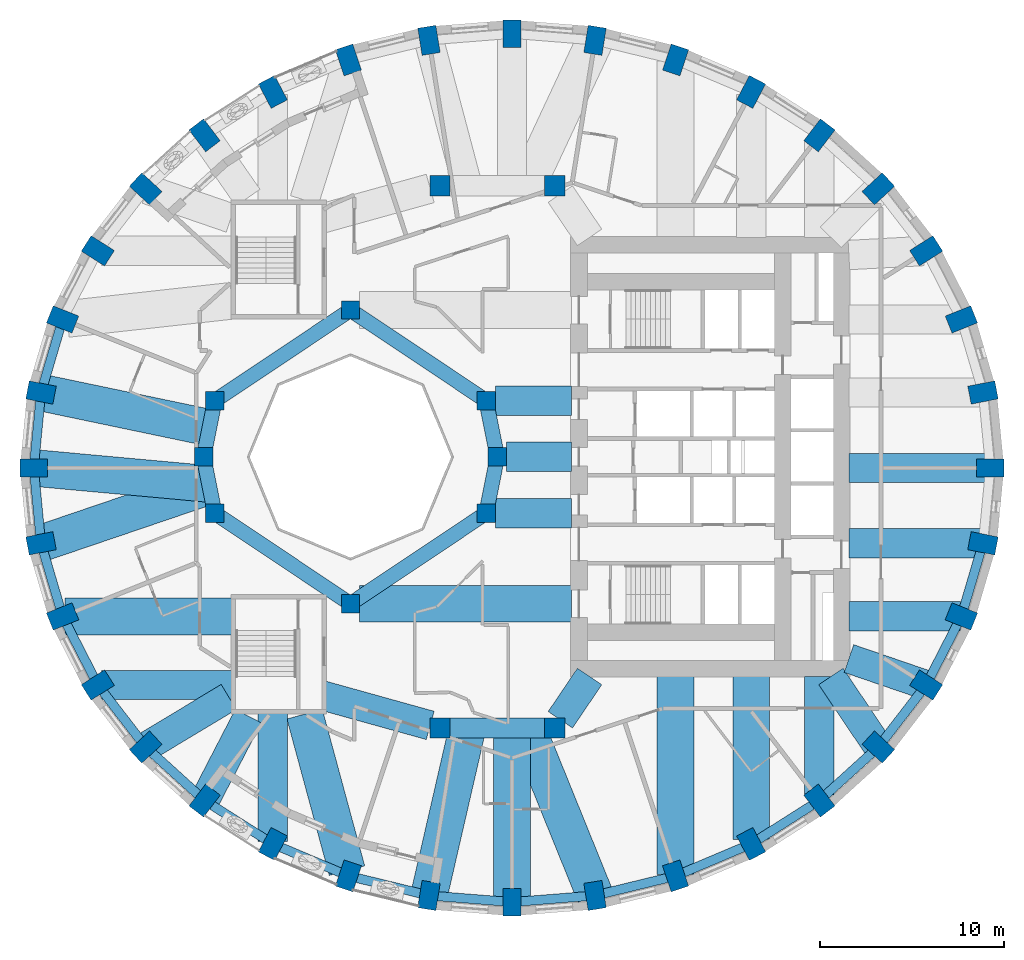
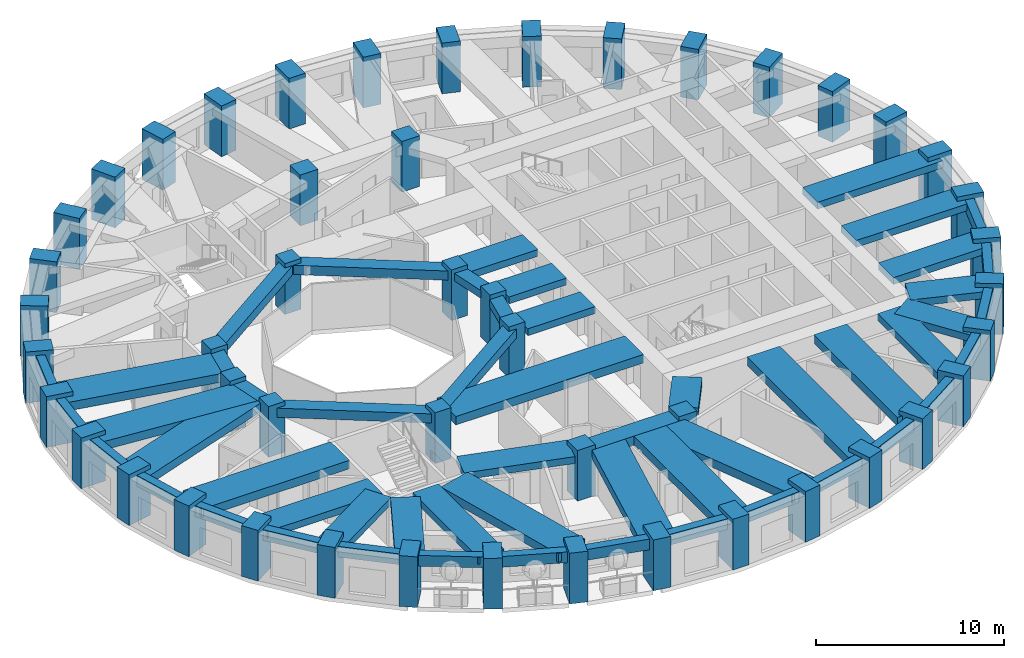
# One storey, part 1 of 12: 54 beams, 48 columns.
"""IFC4 building model written with IfcOpenShell, lengths in metres."""

from ifc_helpers import new_model, si_unit, direction, frame, origin, origin_2d, place, context, subcontext, project, spatial, rectangle, extrude, material, material_profile, profile_set, type_object, element, save


model = new_model("IFC4")

# Units and contexts
model_context = context("Model", 3, precision=1e-05, world=origin(), true_north=direction((0.0, 1.0)))
body_context = subcontext(model_context, "Body", "Model", "MODEL_VIEW")
ifc_project = project(units=[si_unit("LENGTHUNIT", "METRE"), si_unit("AREAUNIT", "SQUARE_METRE"), si_unit("VOLUMEUNIT", "CUBIC_METRE"), si_unit("PLANEANGLEUNIT", "RADIAN"), si_unit("MASSUNIT", "GRAM", prefix="KILO")], contexts=[model_context])

# Site, building, storey
site_placement = place(None, origin())
site = spatial("IfcSite", under=ifc_project, at=site_placement, CompositionType="ELEMENT")
building_placement = place(site_placement, origin())
building = spatial("IfcBuilding", under=site, at=building_placement, Name="Taillehof Tower", CompositionType="ELEMENT")
storey_placement = place(building_placement, frame((0.0, 0.0, 118.60009765625)))
storey = spatial("IfcBuildingStorey", under=building, at=storey_placement, Name="L33", CompositionType="ELEMENT", Elevation=118.60009765625)

# Columns
ifc_material_1 = material(Name="Concrete C50/60", Category="concrete")
ifc_material_profile_1 = material_profile(ifc_material_1, rectangle(XDim=1.0, YDim=1.0, at=origin_2d()), Name="RC 1000x1000")
ifc_profile_set_1 = profile_set([ifc_material_profile_1], Name="Concrete C50/60")
column_type_1 = type_object("IfcColumnType", Name="Atrium ring column C50/60 1000x1000", PredefinedType="COLUMN", material=ifc_profile_set_1)
for number, where, z_axis, x_axis, name in (
    (1, (0.0, 0.0, 0.0), (0.0, 0.0, 1.0), (1.0, 0.0, 0.0), "Column AC01"),
    (2, (-0.60888671875, 3.0615234375, 0.0), (0.0, 0.0, 1.0), (1.0, 0.0, 0.0), "Column AC02"),
    (3, (-8.0, 8.0, 0.0), (0.0, 0.0, 1.0), (1.0, 0.0, 0.0), "Column AC05"),
    (4, (-15.39111328125, 3.0615234375, 0.0), (0.0, 0.0, 1.0), (1.0, 0.0, 0.0), "Column AC08"),
    (5, (-16.0, 0.0, 0.0), (0.0, 0.0, 1.0), (1.0, 0.0, 0.0), "Column AC09"),
    (6, (-15.39111328125, -3.0615234375, 0.0), (0.0, 0.0, 1.0), (1.0, 0.0, 0.0), "Column AC10"),
    (7, (-8.0, -8.0, 0.0), (0.0, 0.0, 1.0), (1.0, 0.0, 0.0), "Column AC13"),
    (8, (-0.60888671875, -3.0615234375, 0.0), (0.0, 0.0, 1.0), (1.0, 0.0, 0.0), "Column AC16"),
):
    element("IfcColumn", number, at=place(storey_placement, frame(where, z_axis=z_axis, x_axis=x_axis)), inside=storey, type_object=column_type_1, Name=name, PredefinedType="COLUMN", context=body_context, shape_type="SweptSolid", body=[
        extrude(rectangle(XDim=1.0, YDim=1.0, at=origin_2d()), origin(), (0.0, 0.0, 1.0), 3.2998046875),
    ])
ifc_material_2 = material(Name="Concrete C50/60", Category="concrete")
ifc_material_profile_2 = material_profile(ifc_material_2, rectangle(XDim=1.10009765625, YDim=1.10009765625, at=origin_2d()), Name="RC 1100x1100")
ifc_profile_set_2 = profile_set([ifc_material_profile_2], Name="Concrete C50/60")
column_type_2 = type_object("IfcColumnType", Name="Mid-ring column C50/60 1100x1100", PredefinedType="COLUMN", material=ifc_profile_set_2)
for number, where, z_axis, x_axis, name in (
    (9, (3.125732421875, 14.772216796875, 0.0), (0.0, 0.0, 1.0), (1.0, 0.0, 0.0), "Column MC05"),
    (10, (-3.125732421875, 14.772216796875, 0.0), (0.0, 0.0, 1.0), (1.0, 0.0, 0.0), "Column MC06"),
    (11, (-3.125732421875, -14.772216796875, 0.0), (0.0, 0.0, 1.0), (1.0, 0.0, 0.0), "Column MC14"),
    (12, (3.125732421875, -14.772216796875, 0.0), (0.0, 0.0, 1.0), (1.0, 0.0, 0.0), "Column MC15"),
):
    element("IfcColumn", number, at=place(storey_placement, frame(where, z_axis=z_axis, x_axis=x_axis)), inside=storey, type_object=column_type_2, Name=name, PredefinedType="COLUMN", context=body_context, shape_type="SweptSolid", body=[
        extrude(rectangle(XDim=1.10009765625, YDim=1.10009765625, at=origin_2d()), origin(), (0.0, 0.0, 1.0), 3.2998046875),
    ])
ifc_material_3 = material(Name="Concrete C70/85", Category="concrete")
ifc_material_profile_3 = material_profile(ifc_material_3, rectangle(XDim=1.5, YDim=1.0, at=origin_2d()), Name="RC 1500x1000")
ifc_profile_set_3 = profile_set([ifc_material_profile_3], Name="Concrete C70/85")
column_type_3 = type_object("IfcColumnType", Name="Ring column C70/85 1500x1000", PredefinedType="COLUMN", material=ifc_profile_set_3)
for number, where, z_axis, x_axis, name in (
    (13, (26.85009765625, -0.60009765625, 0.0), (0.0, 0.0, 1.0), (1.0, 0.0, 0.0), "Ring column RC01"),
    (14, (26.454345703125, 3.5068359375, 0.0), (0.0, 0.0, 1.0), (0.981757466121, 0.190137523166, 0.0), "Ring column RC02"),
    (15, (25.279052734375, 7.48876953125, 0.0), (0.0, 0.0, 1.0), (0.928550110352, 0.371207075048, 0.0), "Ring column RC03"),
    (16, (23.35986328125, 11.22509765625, 0.0), (0.0, 0.0, 1.0), (0.844511454562, 0.535537489923, 0.0), "Ring column RC04"),
    (17, (20.75537109375, 14.60205078125, 0.0), (0.0, 0.0, 1.0), (0.735332034083, 0.677707016085, 0.0), "Ring column RC05"),
    (18, (17.544677734375, 17.516845703125, 0.0), (0.0, 0.0, 1.0), (0.607074228939, 0.794645128694, 0.0), "Ring column RC06"),
    (19, (13.824951171875, 19.881591796875, 0.0), (0.0, 0.0, 1.0), (0.465283017627, 0.885161970211, 0.0), "Ring column RC07"),
    (20, (9.709716796875, 21.623779296875, 0.0), (0.0, 0.0, 1.0), (0.314554972703, 0.949239258116, 0.0), "Ring column RC08"),
    (21, (5.323486328125, 22.690673828125, 0.0), (0.0, 0.0, 1.0), (0.158507038215, 0.987357847407, 0.0), "Ring column RC09"),
    (22, (0.800048828125, 23.050048828125, 0.0), (0.0, 0.0, 1.0), (0.0, 1.0, 0.0), "Ring column RC10"),
    (23, (-3.7236328125, 22.690673828125, 0.0), (0.0, 0.0, 1.0), (-0.158507038215, 0.987357847407, 0.0), "Ring column RC11"),
    (24, (-8.109619140625, 21.623779296875, 0.0), (0.0, 0.0, 1.0), (-0.314554972703, 0.949239258116, 0.0), "Ring column RC12"),
    (25, (-12.22509765625, 19.881591796875, 0.0), (0.0, 0.0, 1.0), (-0.465283017627, 0.885161970211, 0.0), "Ring column RC13"),
    (26, (-15.944580078125, 17.516845703125, 0.0), (0.0, 0.0, 1.0), (-0.607074228939, 0.794645128694, 0.0), "Ring column RC14"),
    (27, (-19.155517578125, 14.60205078125, 0.0), (0.0, 0.0, 1.0), (-0.735332034083, 0.677707016085, 0.0), "Ring column RC15"),
    (28, (-21.760009765625, 11.22509765625, 0.0), (0.0, 0.0, 1.0), (-0.844511454562, 0.535537489923, 0.0), "Ring column RC16"),
    (29, (-23.678955078125, 7.48876953125, 0.0), (0.0, 0.0, 1.0), (-0.928550110352, 0.371207075048, 0.0), "Ring column RC17"),
    (30, (-24.854248046875, 3.5068359375, 0.0), (0.0, 0.0, 1.0), (-0.981757466121, 0.190137523166, 0.0), "Ring column RC18"),
    (31, (-25.25, -0.60009765625, 0.0), (0.0, 0.0, 1.0), (-1.0, 0.0, 0.0), "Ring column RC19"),
    (32, (-24.854248046875, -4.706787109375, 0.0), (0.0, 0.0, 1.0), (-0.981757466121, -0.190137523166, 0.0), "Ring column RC20"),
    (33, (-23.678955078125, -8.688720703125, 0.0), (0.0, 0.0, 1.0), (-0.928550110352, -0.371207075048, 0.0), "Ring column RC21"),
    (34, (-21.760009765625, -12.425048828125, 0.0), (0.0, 0.0, 1.0), (-0.844511454562, -0.535537489923, 0.0), "Ring column RC22"),
    (35, (-19.155517578125, -15.802001953125, 0.0), (0.0, 0.0, 1.0), (-0.735332034083, -0.677707016085, 0.0), "Ring column RC23"),
    (36, (-15.944580078125, -18.717041015625, 0.0), (0.0, 0.0, 1.0), (-0.607074228939, -0.794645128694, 0.0), "Ring column RC24"),
    (37, (-12.22509765625, -21.08154296875, 0.0), (0.0, 0.0, 1.0), (-0.465283017627, -0.885161970211, 0.0), "Ring column RC25"),
    (38, (-8.109619140625, -22.82373046875, 0.0), (0.0, 0.0, 1.0), (-0.314554972703, -0.949239258116, 0.0), "Ring column RC26"),
    (39, (-3.7236328125, -23.890625, 0.0), (0.0, 0.0, 1.0), (-0.158507038215, -0.987357847407, 0.0), "Ring column RC27"),
    (40, (0.800048828125, -24.25, 0.0), (0.0, 0.0, 1.0), (0.0, -1.0, 0.0), "Ring column RC28"),
    (41, (5.323486328125, -23.890625, 0.0), (0.0, 0.0, 1.0), (0.158507038215, -0.987357847407, 0.0), "Ring column RC29"),
    (42, (9.709716796875, -22.82373046875, 0.0), (0.0, 0.0, 1.0), (0.314554972703, -0.949239258116, 0.0), "Ring column RC30"),
    (43, (13.824951171875, -21.08154296875, 0.0), (0.0, 0.0, 1.0), (0.465283017627, -0.885161970211, 0.0), "Ring column RC31"),
    (44, (17.544677734375, -18.717041015625, 0.0), (0.0, 0.0, 1.0), (0.607074228939, -0.794645128694, 0.0), "Ring column RC32"),
    (45, (20.75537109375, -15.802001953125, 0.0), (0.0, 0.0, 1.0), (0.735332034083, -0.677707016085, 0.0), "Ring column RC33"),
    (46, (23.35986328125, -12.425048828125, 0.0), (0.0, 0.0, 1.0), (0.844511454562, -0.535537489923, 0.0), "Ring column RC34"),
    (47, (25.279052734375, -8.688720703125, 0.0), (0.0, 0.0, 1.0), (0.928550110352, -0.371207075048, 0.0), "Ring column RC35"),
    (48, (26.454345703125, -4.706787109375, 0.0), (0.0, 0.0, 1.0), (0.981757466121, -0.190137523166, 0.0), "Ring column RC36"),
):
    element("IfcColumn", number, at=place(storey_placement, frame(where, z_axis=z_axis, x_axis=x_axis)), inside=storey, type_object=column_type_3, Name=name, PredefinedType="COLUMN", context=body_context, shape_type="SweptSolid", body=[
        extrude(rectangle(XDim=1.5, YDim=1.0, at=origin_2d()), origin(), (0.0, 0.0, 1.0), 3.2998046875),
    ])

# Beams
ifc_material_4 = material(Name="Concrete C50/60", Category="concrete")
ifc_material_profile_4 = material_profile(ifc_material_4, rectangle(XDim=0.800048828125, YDim=0.5, at=origin_2d()), Name="RC 800x500")
ifc_profile_set_4 = profile_set([ifc_material_profile_4], Name="Concrete C50/60")
beam_type_1 = type_object("IfcBeamType", Name="Atrium ring beam C50/60 800x500", PredefinedType="BEAM", material=ifc_profile_set_4)
for number, where, z_axis, x_axis, name in (
    (49, (0.0, 0.0, 2.77001953125), (-0.195063155143, 0.980790683839, 0.0), (-0.980790683839, -0.195063155143, 0.0), "Atrium ring beam AB01"),
    (50, (-15.39111328125, 3.0615234375, 2.77001953125), (-0.195063155143, -0.980790683839, 0.0), (0.980790683839, -0.195063155143, 0.0), "Atrium ring beam AB04"),
    (51, (-16.0, 0.0, 2.77001953125), (0.195063155143, -0.980790683839, 0.0), (0.980790683839, 0.195063155143, 0.0), "Atrium ring beam AB05"),
    (52, (-0.60888671875, -3.0615234375, 2.77001953125), (0.195063155143, 0.980790683839, 0.0), (-0.980790683839, 0.195063155143, 0.0), "Atrium ring beam AB08"),
):
    element("IfcBeam", number, at=place(storey_placement, frame(where, z_axis=z_axis, x_axis=x_axis)), inside=storey, type_object=beam_type_1, Name=name, PredefinedType="BEAM", context=body_context, shape_type="SweptSolid", body=[
        extrude(rectangle(XDim=0.800048828125, YDim=0.5, at=origin_2d()), origin(), (0.0, 0.0, 1.0), 3.12158203125),
    ])
ifc_material_5 = material(Name="Concrete C50/60", Category="concrete")
ifc_material_profile_5 = material_profile(ifc_material_5, rectangle(XDim=0.800048828125, YDim=0.60009765625, at=origin_2d()), Name="RC 800x600")
ifc_profile_set_5 = profile_set([ifc_material_profile_5], Name="Concrete C50/60")
beam_type_2 = type_object("IfcBeamType", Name="Atrium ring beam C50/60 800x600", PredefinedType="BEAM", material=ifc_profile_set_5)
for number, where, z_axis, x_axis, name in (
    (53, (-0.60888671875, 3.0615234375, 2.719970703125), (-0.831475195687, 0.555561876804, 0.0), (-0.555561876804, -0.831475195687, 0.0), "Atrium ring beam AB02"),
    (54, (-8.0, 8.0, 2.719970703125), (-0.831475195687, -0.555561876804, 0.0), (0.555561876804, -0.831475195687, 0.0), "Atrium ring beam AB03"),
    (55, (-15.39111328125, -3.0615234375, 2.719970703125), (0.831475195687, -0.555561876804, 0.0), (0.555561876804, 0.831475195687, 0.0), "Atrium ring beam AB06"),
    (56, (-8.0, -8.0, 2.719970703125), (0.831475195687, 0.555561876804, 0.0), (-0.555561876804, 0.831475195687, 0.0), "Atrium ring beam AB07"),
):
    element("IfcBeam", number, at=place(storey_placement, frame(where, z_axis=z_axis, x_axis=x_axis)), inside=storey, type_object=beam_type_2, Name=name, PredefinedType="BEAM", context=body_context, shape_type="SweptSolid", body=[
        extrude(rectangle(XDim=0.800048828125, YDim=0.60009765625, at=origin_2d()), origin(), (0.0, 0.0, 1.0), 8.88916015625),
    ])
ifc_material_6 = material(Name="Concrete C50/60", Category="concrete")
ifc_material_profile_6 = material_profile(ifc_material_6, rectangle(XDim=1.10009765625, YDim=0.60009765625, at=origin_2d()), Name="RC 1100x600")
ifc_profile_set_6 = profile_set([ifc_material_profile_6], Name="Concrete C50/60")
beam_type_3 = type_object("IfcBeamType", Name="Mid-ring beam C50/60 1100x600", PredefinedType="BEAM", material=ifc_profile_set_6)
beam_1_placement = place(storey_placement, frame((-3.125732421875, -14.772216796875, 2.719970703125), z_axis=(1.0, 0.0, 0.0), x_axis=(0.0, 1.0, 0.0)))
element("IfcBeam", 57, at=beam_1_placement, inside=storey, type_object=beam_type_3, Name="Mid-ring beam MB02", PredefinedType="BEAM", context=body_context, shape_type="SweptSolid", body=[
    extrude(rectangle(XDim=1.10009765625, YDim=0.60009765625, at=origin_2d()), origin(), (0.0, 0.0, 1.0), 6.25146484375),
])
ifc_material_7 = material(Name="Concrete C50/60", Category="concrete")
ifc_material_profile_7 = material_profile(ifc_material_7, rectangle(XDim=1.60009765625, YDim=0.449951171875, at=origin_2d()), Name="RC 1600x450")
ifc_profile_set_7 = profile_set([ifc_material_profile_7], Name="Concrete C50/60")
beam_type_4 = type_object("IfcBeamType", Name="Radial band beam C50/60 1600x450", PredefinedType="BEAM", material=ifc_profile_set_7)
beam_2_placement = place(storey_placement, frame((26.85009765625, -0.60009765625, 2.794921875), z_axis=(-1.0, 0.0, 0.0), x_axis=(0.0, -1.0, 0.0)))
element("IfcBeam", 58, at=beam_2_placement, inside=storey, type_object=beam_type_4, Name="Radial band beam RB01", PredefinedType="BEAM", context=body_context, shape_type="SweptSolid", body=[
    extrude(rectangle(XDim=1.60009765625, YDim=0.449951171875, at=origin_2d()), origin(), (0.0, 0.0, 1.0), 7.7001953125),
])
beam_3_placement = place(storey_placement, frame((-21.54736328125, -12.425048828125, 2.794921875), z_axis=(1.0, 0.0, 0.0), x_axis=(0.0, 1.0, 0.0)))
element("IfcBeam", 59, at=beam_3_placement, inside=storey, type_object=beam_type_4, Name="Radial band beam RB22", PredefinedType="BEAM", context=body_context, shape_type="SweptSolid", body=[
    extrude(rectangle(XDim=1.60009765625, YDim=0.449951171875, at=origin_2d()), origin(), (0.0, 0.0, 1.0), 7.097412109375),
])
beam_4_placement = place(storey_placement, frame((-19.155517578125, -15.802001953125, 2.794921875), z_axis=(0.856794973818, 0.515657224171, 0.0), x_axis=(-0.515657224171, 0.856794973818, 0.0)))
element("IfcBeam", 60, at=beam_4_placement, inside=storey, type_object=beam_type_4, Name="Radial band beam RB23", PredefinedType="BEAM", context=body_context, shape_type="SweptSolid", body=[
    extrude(rectangle(XDim=1.60009765625, YDim=0.449951171875, at=origin_2d()), origin(), (0.0, 0.0, 1.0), 5.28369140625),
])
beam_5_placement = place(storey_placement, frame((-15.944580078125, -18.717041015625, 2.794921875), z_axis=(0.460119038647, 0.8878572353, 0.0), x_axis=(-0.8878572353, 0.460119038647, 0.0)))
element("IfcBeam", 61, at=beam_5_placement, inside=storey, type_object=beam_type_4, Name="Radial band beam RB24", PredefinedType="BEAM", context=body_context, shape_type="SweptSolid", body=[
    extrude(rectangle(XDim=1.60009765625, YDim=0.449951171875, at=origin_2d()), origin(), (0.0, 0.0, 1.0), 5.1796875),
])
beam_6_placement = place(storey_placement, frame((-12.22509765625, -20.9443359375, 2.794921875), z_axis=(0.0, 1.0, 0.0), x_axis=(-1.0, 0.0, 0.0)))
element("IfcBeam", 62, at=beam_6_placement, inside=storey, type_object=beam_type_4, Name="Radial band beam RB25", PredefinedType="BEAM", context=body_context, shape_type="SweptSolid", body=[
    extrude(rectangle(XDim=1.60009765625, YDim=0.449951171875, at=origin_2d()), origin(), (0.0, 0.0, 1.0), 6.994384765625),
])
beam_7_placement = place(storey_placement, frame((17.544677734375, -18.421875, 2.794921875), z_axis=(0.0, 1.0, 0.0), x_axis=(-1.0, 0.0, 0.0)))
element("IfcBeam", 63, at=beam_7_placement, inside=storey, type_object=beam_type_4, Name="Radial band beam RB32", PredefinedType="BEAM", context=body_context, shape_type="SweptSolid", body=[
    extrude(rectangle(XDim=1.60009765625, YDim=0.449951171875, at=origin_2d()), origin(), (0.0, 0.0, 1.0), 6.471923828125),
])
beam_8_placement = place(storey_placement, frame((20.75537109375, -15.802001953125, 2.794921875), z_axis=(-0.557822939952, 0.829959979555, 0.0), x_axis=(-0.829959979555, -0.557822939952, 0.0)))
element("IfcBeam", 64, at=beam_8_placement, inside=storey, type_object=beam_type_4, Name="Radial band beam RB33", PredefinedType="BEAM", context=body_context, shape_type="SweptSolid", body=[
    extrude(rectangle(XDim=1.60009765625, YDim=0.449951171875, at=origin_2d()), origin(), (0.0, 0.0, 1.0), 4.630859375),
])
beam_9_placement = place(storey_placement, frame((23.35986328125, -12.425048828125, 2.794921875), z_axis=(-0.946037817118, 0.324056242932, 0.0), x_axis=(-0.324056242932, -0.946037817118, 0.0)))
element("IfcBeam", 65, at=beam_9_placement, inside=storey, type_object=beam_type_4, Name="Radial band beam RB34", PredefinedType="BEAM", context=body_context, shape_type="SweptSolid", body=[
    extrude(rectangle(XDim=1.60009765625, YDim=0.449951171875, at=origin_2d()), origin(), (0.0, 0.0, 1.0), 4.447265625),
])
beam_10_placement = place(storey_placement, frame((25.2275390625, -8.688720703125, 2.794921875), z_axis=(-1.0, 0.0, 0.0), x_axis=(0.0, -1.0, 0.0)))
element("IfcBeam", 66, at=beam_10_placement, inside=storey, type_object=beam_type_4, Name="Radial band beam RB35", PredefinedType="BEAM", context=body_context, shape_type="SweptSolid", body=[
    extrude(rectangle(XDim=1.60009765625, YDim=0.449951171875, at=origin_2d()), origin(), (0.0, 0.0, 1.0), 6.07763671875),
])
beam_11_placement = place(storey_placement, frame((26.454345703125, -4.706787109375, 2.794921875), z_axis=(-1.0, 0.0, 0.0), x_axis=(0.0, -1.0, 0.0)))
element("IfcBeam", 67, at=beam_11_placement, inside=storey, type_object=beam_type_4, Name="Radial band beam RB36", PredefinedType="BEAM", context=body_context, shape_type="SweptSolid", body=[
    extrude(rectangle(XDim=1.60009765625, YDim=0.449951171875, at=origin_2d()), origin(), (0.0, 0.0, 1.0), 7.304443359375),
])
beam_12_placement = place(storey_placement, frame((0.5, 0.0, 2.794921875), z_axis=(1.0, 0.0, 0.0), x_axis=(0.0, 1.0, 0.0)))
element("IfcBeam", 68, at=beam_12_placement, inside=storey, type_object=beam_type_4, Name="Inner band beam IB101", PredefinedType="BEAM", context=body_context, shape_type="SweptSolid", body=[
    extrude(rectangle(XDim=1.60009765625, YDim=0.449951171875, at=origin_2d()), origin(), (0.0, 0.0, 1.0), 3.550048828125),
])
for number, where, z_axis, x_axis, name in (
    (69, (-0.10888671875, 3.0615234375, 2.794921875), (1.0, 0.0, 0.0), (0.0, 1.0, 0.0), "Inner band beam IB102"),
    (70, (-0.10888671875, -3.0615234375, 2.794921875), (1.0, 0.0, 0.0), (0.0, 1.0, 0.0), "Inner band beam IB116"),
):
    element("IfcBeam", number, at=place(storey_placement, frame(where, z_axis=z_axis, x_axis=x_axis)), inside=storey, type_object=beam_type_4, Name=name, PredefinedType="BEAM", context=body_context, shape_type="SweptSolid", body=[
        extrude(rectangle(XDim=1.60009765625, YDim=0.449951171875, at=origin_2d()), origin(), (0.0, 0.0, 1.0), 4.158935546875),
    ])
beam_13_placement = place(storey_placement, frame((-3.655517578125, -14.624755859375, 2.794921875), z_axis=(-0.963459369536, 0.267854518821, 0.0), x_axis=(-0.267854518821, -0.963459369536, 0.0)))
element("IfcBeam", 71, at=beam_13_placement, inside=storey, type_object=beam_type_4, Name="Inner band beam IB214", PredefinedType="BEAM", context=body_context, shape_type="SweptSolid", body=[
    extrude(rectangle(XDim=1.60009765625, YDim=0.449951171875, at=origin_2d()), origin(), (0.0, 0.0, 1.0), 6.096923828125),
])
beam_14_placement = place(storey_placement, frame((3.433837890625, -14.31640625, 2.794921875), z_axis=(0.560112043398, 0.828416862962, 0.0), x_axis=(-0.828416862962, 0.560112043398, 0.0)))
element("IfcBeam", 72, at=beam_14_placement, inside=storey, type_object=beam_type_4, Name="Inner band beam IB215", PredefinedType="BEAM", context=body_context, shape_type="SweptSolid", body=[
    extrude(rectangle(XDim=1.60009765625, YDim=0.449951171875, at=origin_2d()), origin(), (0.0, 0.0, 1.0), 2.84619140625),
])
ifc_material_8 = material(Name="Concrete C50/60", Category="concrete")
ifc_material_profile_8 = material_profile(ifc_material_8, rectangle(XDim=2.0, YDim=0.550048828125, at=origin_2d()), Name="RC 2000x550")
ifc_profile_set_8 = profile_set([ifc_material_profile_8], Name="Concrete C50/60")
beam_type_5 = type_object("IfcBeamType", Name="Radial band beam C50/60 2000x550", PredefinedType="BEAM", material=ifc_profile_set_8)
beam_15_placement = place(storey_placement, frame((-24.854248046875, 3.5068359375, 2.744873046875), z_axis=(0.978853404319, -0.204562980164, 0.0), x_axis=(0.204562980164, 0.978853404319, 0.0)))
element("IfcBeam", 73, at=beam_15_placement, inside=storey, type_object=beam_type_5, Name="Radial band beam RB18", PredefinedType="BEAM", context=body_context, shape_type="SweptSolid", body=[
    extrude(rectangle(XDim=2.0, YDim=0.550048828125, at=origin_2d()), origin(), (0.0, 0.0, 1.0), 9.36865234375),
])
beam_16_placement = place(storey_placement, frame((-25.25, -0.60009765625, 2.744873046875), z_axis=(0.995859515154, -0.090905588816, 0.0), x_axis=(0.090905588816, 0.995859515154, 0.0)))
element("IfcBeam", 74, at=beam_16_placement, inside=storey, type_object=beam_type_5, Name="Radial band beam RB19", PredefinedType="BEAM", context=body_context, shape_type="SweptSolid", body=[
    extrude(rectangle(XDim=2.0, YDim=0.550048828125, at=origin_2d()), origin(), (0.0, 0.0, 1.0), 9.58251953125),
])
beam_17_placement = place(storey_placement, frame((-24.854248046875, -4.706787109375, 2.744873046875), z_axis=(0.946822052625, 0.321757673822, 0.0), x_axis=(-0.321757673822, 0.946822052625, 0.0)))
element("IfcBeam", 75, at=beam_17_placement, inside=storey, type_object=beam_type_5, Name="Radial band beam RB20", PredefinedType="BEAM", context=body_context, shape_type="SweptSolid", body=[
    extrude(rectangle(XDim=2.0, YDim=0.550048828125, at=origin_2d()), origin(), (0.0, 0.0, 1.0), 9.685791015625),
])
beam_18_placement = place(storey_placement, frame((-23.54736328125, -8.688720703125, 2.744873046875), z_axis=(1.0, 0.0, 0.0), x_axis=(0.0, 1.0, 0.0)))
element("IfcBeam", 76, at=beam_18_placement, inside=storey, type_object=beam_type_5, Name="Radial band beam RB21", PredefinedType="BEAM", context=body_context, shape_type="SweptSolid", body=[
    extrude(rectangle(XDim=2.0, YDim=0.550048828125, at=origin_2d()), origin(), (0.0, 0.0, 1.0), 9.097412109375),
])
beam_19_placement = place(storey_placement, frame((-8.186767578125, -22.539306640625, 2.744873046875), z_axis=(-0.261461600872, 0.965213878511, 0.0), x_axis=(-0.965213878511, -0.261461600872, 0.0)))
element("IfcBeam", 77, at=beam_19_placement, inside=storey, type_object=beam_type_5, Name="Radial band beam RB26", PredefinedType="BEAM", context=body_context, shape_type="SweptSolid", body=[
    extrude(rectangle(XDim=2.0, YDim=0.550048828125, at=origin_2d()), origin(), (0.0, 0.0, 1.0), 8.835205078125),
])
beam_20_placement = place(storey_placement, frame((-3.7236328125, -23.890625, 2.744873046875), z_axis=(0.224215346781, 0.974539623755, 0.0), x_axis=(-0.974539623755, 0.224215346781, 0.0)))
element("IfcBeam", 78, at=beam_20_placement, inside=storey, type_object=beam_type_5, Name="Radial band beam RB27", PredefinedType="BEAM", context=body_context, shape_type="SweptSolid", body=[
    extrude(rectangle(XDim=2.0, YDim=0.550048828125, at=origin_2d()), origin(), (0.0, 0.0, 1.0), 9.356689453125),
])
beam_21_placement = place(storey_placement, frame((0.800048828125, -24.25, 2.744873046875), z_axis=(0.0, 1.0, 0.0), x_axis=(-1.0, 0.0, 0.0)))
element("IfcBeam", 79, at=beam_21_placement, inside=storey, type_object=beam_type_5, Name="Radial band beam RB28", PredefinedType="BEAM", context=body_context, shape_type="SweptSolid", body=[
    extrude(rectangle(XDim=2.0, YDim=0.550048828125, at=origin_2d()), origin(), (0.0, 0.0, 1.0), 9.477783203125),
])
beam_22_placement = place(storey_placement, frame((5.323486328125, -23.890625, 2.744873046875), z_axis=(-0.375801287916, 0.926700270854, 0.0), x_axis=(-0.926700270854, -0.375801287916, 0.0)))
element("IfcBeam", 80, at=beam_22_placement, inside=storey, type_object=beam_type_5, Name="Radial band beam RB29", PredefinedType="BEAM", context=body_context, shape_type="SweptSolid", body=[
    extrude(rectangle(XDim=2.0, YDim=0.550048828125, at=origin_2d()), origin(), (0.0, 0.0, 1.0), 9.839599609375),
])
beam_23_placement = place(storey_placement, frame((9.709716796875, -22.756591796875, 2.744873046875), z_axis=(0.0, 1.0, 0.0), x_axis=(-1.0, 0.0, 0.0)))
element("IfcBeam", 81, at=beam_23_placement, inside=storey, type_object=beam_type_5, Name="Radial band beam RB30", PredefinedType="BEAM", context=body_context, shape_type="SweptSolid", body=[
    extrude(rectangle(XDim=2.0, YDim=0.550048828125, at=origin_2d()), origin(), (0.0, 0.0, 1.0), 10.806640625),
])
beam_24_placement = place(storey_placement, frame((13.824951171875, -20.839599609375, 2.744873046875), z_axis=(0.0, 1.0, 0.0), x_axis=(-1.0, 0.0, 0.0)))
element("IfcBeam", 82, at=beam_24_placement, inside=storey, type_object=beam_type_5, Name="Radial band beam RB31", PredefinedType="BEAM", context=body_context, shape_type="SweptSolid", body=[
    extrude(rectangle(XDim=2.0, YDim=0.550048828125, at=origin_2d()), origin(), (0.0, 0.0, 1.0), 8.8896484375),
])
beam_25_placement = place(storey_placement, frame((-7.5, -8.0, 2.744873046875), z_axis=(1.0, 0.0, 0.0), x_axis=(0.0, 1.0, 0.0)))
element("IfcBeam", 83, at=beam_25_placement, inside=storey, type_object=beam_type_5, Name="Inner band beam IB113", PredefinedType="BEAM", context=body_context, shape_type="SweptSolid", body=[
    extrude(rectangle(XDim=2.0, YDim=0.550048828125, at=origin_2d()), origin(), (0.0, 0.0, 1.0), 11.550048828125),
])
ifc_material_9 = material(Name="Concrete C50/60", Category="concrete")
ifc_material_profile_9 = material_profile(ifc_material_9, rectangle(XDim=0.5, YDim=0.699951171875, at=origin_2d()), Name="RC 500x700")
ifc_profile_set_9 = profile_set([ifc_material_profile_9], Name="Concrete C50/60")
beam_type_6 = type_object("IfcBeamType", Name="Spandrel beam C50/60 500x700", PredefinedType="SPANDREL", material=ifc_profile_set_9)
beam_26_placement = place(storey_placement, frame((-23.678955078125, 7.48876953125, 2.669921875), z_axis=(-0.28308309012, -0.95909538842, 0.0), x_axis=(0.95909538842, -0.28308309012, 0.0)))
element("IfcBeam", 84, at=beam_26_placement, inside=storey, type_object=beam_type_6, Name="Spandrel beam SB17", PredefinedType="SPANDREL", context=body_context, shape_type="SweptSolid", body=[
    extrude(rectangle(XDim=0.5, YDim=0.699951171875, at=origin_2d()), origin(), (0.0, 0.0, 1.0), 4.15185546875),
])
beam_27_placement = place(storey_placement, frame((-24.854248046875, 3.5068359375, 2.669921875), z_axis=(-0.095917608943, -0.995389276763, 0.0), x_axis=(0.995389276763, -0.095917608943, 0.0)))
element("IfcBeam", 85, at=beam_27_placement, inside=storey, type_object=beam_type_6, Name="Spandrel beam SB18", PredefinedType="SPANDREL", context=body_context, shape_type="SweptSolid", body=[
    extrude(rectangle(XDim=0.5, YDim=0.699951171875, at=origin_2d()), origin(), (0.0, 0.0, 1.0), 4.1259765625),
])
beam_28_placement = place(storey_placement, frame((-25.25, -0.60009765625, 2.669921875), z_axis=(0.09592325873, -0.995388732323, 0.0), x_axis=(0.995388732323, 0.09592325873, 0.0)))
element("IfcBeam", 86, at=beam_28_placement, inside=storey, type_object=beam_type_6, Name="Spandrel beam SB19", PredefinedType="SPANDREL", context=body_context, shape_type="SweptSolid", body=[
    extrude(rectangle(XDim=0.5, YDim=0.699951171875, at=origin_2d()), origin(), (0.0, 0.0, 1.0), 4.125732421875),
])
beam_29_placement = place(storey_placement, frame((-24.854248046875, -4.706787109375, 2.669921875), z_axis=(0.28308309012, -0.95909538842, 0.0), x_axis=(0.95909538842, 0.28308309012, 0.0)))
element("IfcBeam", 87, at=beam_29_placement, inside=storey, type_object=beam_type_6, Name="Spandrel beam SB20", PredefinedType="SPANDREL", context=body_context, shape_type="SweptSolid", body=[
    extrude(rectangle(XDim=0.5, YDim=0.699951171875, at=origin_2d()), origin(), (0.0, 0.0, 1.0), 4.15185546875),
])
beam_30_placement = place(storey_placement, frame((-23.678955078125, -8.688720703125, 2.669921875), z_axis=(0.456859381733, -0.889538928503, 0.0), x_axis=(0.889538928503, 0.456859381733, 0.0)))
element("IfcBeam", 88, at=beam_30_placement, inside=storey, type_object=beam_type_6, Name="Spandrel beam SB21", PredefinedType="SPANDREL", context=body_context, shape_type="SweptSolid", body=[
    extrude(rectangle(XDim=0.5, YDim=0.699951171875, at=origin_2d()), origin(), (0.0, 0.0, 1.0), 4.2001953125),
])
beam_31_placement = place(storey_placement, frame((-21.760009765625, -12.425048828125, 2.669921875), z_axis=(0.61071731561, -0.79184869793, 0.0), x_axis=(0.79184869793, 0.61071731561, 0.0)))
element("IfcBeam", 89, at=beam_31_placement, inside=storey, type_object=beam_type_6, Name="Spandrel beam SB22", PredefinedType="SPANDREL", context=body_context, shape_type="SweptSolid", body=[
    extrude(rectangle(XDim=0.5, YDim=0.699951171875, at=origin_2d()), origin(), (0.0, 0.0, 1.0), 4.2646484375),
])
beam_32_placement = place(storey_placement, frame((-19.155517578125, -15.802001953125, 2.669921875), z_axis=(0.740398416885, -0.672168270803, 0.0), x_axis=(0.672168270803, 0.740398416885, 0.0)))
element("IfcBeam", 90, at=beam_32_placement, inside=storey, type_object=beam_type_6, Name="Spandrel beam SB23", PredefinedType="SPANDREL", context=body_context, shape_type="SweptSolid", body=[
    extrude(rectangle(XDim=0.5, YDim=0.699951171875, at=origin_2d()), origin(), (0.0, 0.0, 1.0), 4.336669921875),
])
beam_33_placement = place(storey_placement, frame((-15.944580078125, -18.717041015625, 2.669921875), z_axis=(0.843912293293, -0.536481165773, 0.0), x_axis=(0.536481165773, 0.843912293293, 0.0)))
element("IfcBeam", 91, at=beam_33_placement, inside=storey, type_object=beam_type_6, Name="Spandrel beam SB24", PredefinedType="SPANDREL", context=body_context, shape_type="SweptSolid", body=[
    extrude(rectangle(XDim=0.5, YDim=0.699951171875, at=origin_2d()), origin(), (0.0, 0.0, 1.0), 4.407470703125),
])
beam_34_placement = place(storey_placement, frame((-12.22509765625, -21.08154296875, 2.669921875), z_axis=(0.920885046825, -0.389834234688, 0.0), x_axis=(0.389834234688, 0.920885046825, 0.0)))
element("IfcBeam", 92, at=beam_34_placement, inside=storey, type_object=beam_type_6, Name="Spandrel beam SB25", PredefinedType="SPANDREL", context=body_context, shape_type="SweptSolid", body=[
    extrude(rectangle(XDim=0.5, YDim=0.699951171875, at=origin_2d()), origin(), (0.0, 0.0, 1.0), 4.468994140625),
])
beam_35_placement = place(storey_placement, frame((-8.109619140625, -22.82373046875, 2.669921875), z_axis=(0.971665924588, -0.236358479847, 0.0), x_axis=(0.236358479847, 0.971665924588, 0.0)))
element("IfcBeam", 93, at=beam_35_placement, inside=storey, type_object=beam_type_6, Name="Spandrel beam SB26", PredefinedType="SPANDREL", context=body_context, shape_type="SweptSolid", body=[
    extrude(rectangle(XDim=0.5, YDim=0.699951171875, at=origin_2d()), origin(), (0.0, 0.0, 1.0), 4.513916015625),
])
beam_36_placement = place(storey_placement, frame((-3.7236328125, -23.890625, 2.669921875), z_axis=(0.996859260648, -0.079193525375, 0.0), x_axis=(0.079193525375, 0.996859260648, 0.0)))
element("IfcBeam", 94, at=beam_36_placement, inside=storey, type_object=beam_type_6, Name="Spandrel beam SB27", PredefinedType="SPANDREL", context=body_context, shape_type="SweptSolid", body=[
    extrude(rectangle(XDim=0.5, YDim=0.699951171875, at=origin_2d()), origin(), (0.0, 0.0, 1.0), 4.537841796875),
])
beam_37_placement = place(storey_placement, frame((0.800048828125, -24.25, 2.669921875), z_axis=(0.996858923208, 0.079197772828, 0.0), x_axis=(-0.079197772828, 0.996858923208, 0.0)))
element("IfcBeam", 95, at=beam_37_placement, inside=storey, type_object=beam_type_6, Name="Spandrel beam SB28", PredefinedType="SPANDREL", context=body_context, shape_type="SweptSolid", body=[
    extrude(rectangle(XDim=0.5, YDim=0.699951171875, at=origin_2d()), origin(), (0.0, 0.0, 1.0), 4.53759765625),
])
beam_38_placement = place(storey_placement, frame((5.323486328125, -23.890625, 2.669921875), z_axis=(0.971668945916, 0.23634605887, 0.0), x_axis=(-0.23634605887, 0.971668945916, 0.0)))
element("IfcBeam", 96, at=beam_38_placement, inside=storey, type_object=beam_type_6, Name="Spandrel beam SB29", PredefinedType="SPANDREL", context=body_context, shape_type="SweptSolid", body=[
    extrude(rectangle(XDim=0.5, YDim=0.699951171875, at=origin_2d()), origin(), (0.0, 0.0, 1.0), 4.51416015625),
])
beam_39_placement = place(storey_placement, frame((9.709716796875, -22.82373046875, 2.669921875), z_axis=(0.920876744153, 0.389853847074, 0.0), x_axis=(-0.389853847074, 0.920876744153, 0.0)))
element("IfcBeam", 97, at=beam_39_placement, inside=storey, type_object=beam_type_6, Name="Spandrel beam SB30", PredefinedType="SPANDREL", context=body_context, shape_type="SweptSolid", body=[
    extrude(rectangle(XDim=0.5, YDim=0.699951171875, at=origin_2d()), origin(), (0.0, 0.0, 1.0), 4.46875),
])
beam_40_placement = place(storey_placement, frame((13.824951171875, -21.08154296875, 2.669921875), z_axis=(0.843928234947, 0.536456087914, 0.0), x_axis=(-0.536456087914, 0.843928234947, 0.0)))
element("IfcBeam", 98, at=beam_40_placement, inside=storey, type_object=beam_type_6, Name="Spandrel beam SB31", PredefinedType="SPANDREL", context=body_context, shape_type="SweptSolid", body=[
    extrude(rectangle(XDim=0.5, YDim=0.699951171875, at=origin_2d()), origin(), (0.0, 0.0, 1.0), 4.40771484375),
])
beam_41_placement = place(storey_placement, frame((17.544677734375, -18.717041015625, 2.669921875), z_axis=(0.740372980414, 0.672196288202, 0.0), x_axis=(-0.672196288202, 0.740372980414, 0.0)))
element("IfcBeam", 99, at=beam_41_placement, inside=storey, type_object=beam_type_6, Name="Spandrel beam SB32", PredefinedType="SPANDREL", context=body_context, shape_type="SweptSolid", body=[
    extrude(rectangle(XDim=0.5, YDim=0.699951171875, at=origin_2d()), origin(), (0.0, 0.0, 1.0), 4.336669921875),
])
beam_42_placement = place(storey_placement, frame((20.75537109375, -15.802001953125, 2.669921875), z_axis=(0.61071731561, 0.79184869793, 0.0), x_axis=(-0.79184869793, 0.61071731561, 0.0)))
element("IfcBeam", 100, at=beam_42_placement, inside=storey, type_object=beam_type_6, Name="Spandrel beam SB33", PredefinedType="SPANDREL", context=body_context, shape_type="SweptSolid", body=[
    extrude(rectangle(XDim=0.5, YDim=0.699951171875, at=origin_2d()), origin(), (0.0, 0.0, 1.0), 4.2646484375),
])
beam_43_placement = place(storey_placement, frame((23.35986328125, -12.425048828125, 2.669921875), z_axis=(0.456905372708, 0.88951530644, 0.0), x_axis=(-0.88951530644, 0.456905372708, 0.0)))
element("IfcBeam", 101, at=beam_43_placement, inside=storey, type_object=beam_type_6, Name="Spandrel beam SB34", PredefinedType="SPANDREL", context=body_context, shape_type="SweptSolid", body=[
    extrude(rectangle(XDim=0.5, YDim=0.699951171875, at=origin_2d()), origin(), (0.0, 0.0, 1.0), 4.200439453125),
])
beam_44_placement = place(storey_placement, frame((25.279052734375, -8.688720703125, 2.669921875), z_axis=(0.28308309012, 0.95909538842, 0.0), x_axis=(-0.95909538842, 0.28308309012, 0.0)))
element("IfcBeam", 102, at=beam_44_placement, inside=storey, type_object=beam_type_6, Name="Spandrel beam SB35", PredefinedType="SPANDREL", context=body_context, shape_type="SweptSolid", body=[
    extrude(rectangle(XDim=0.5, YDim=0.699951171875, at=origin_2d()), origin(), (0.0, 0.0, 1.0), 4.15185546875),
])

save(model, "model.ifc")
